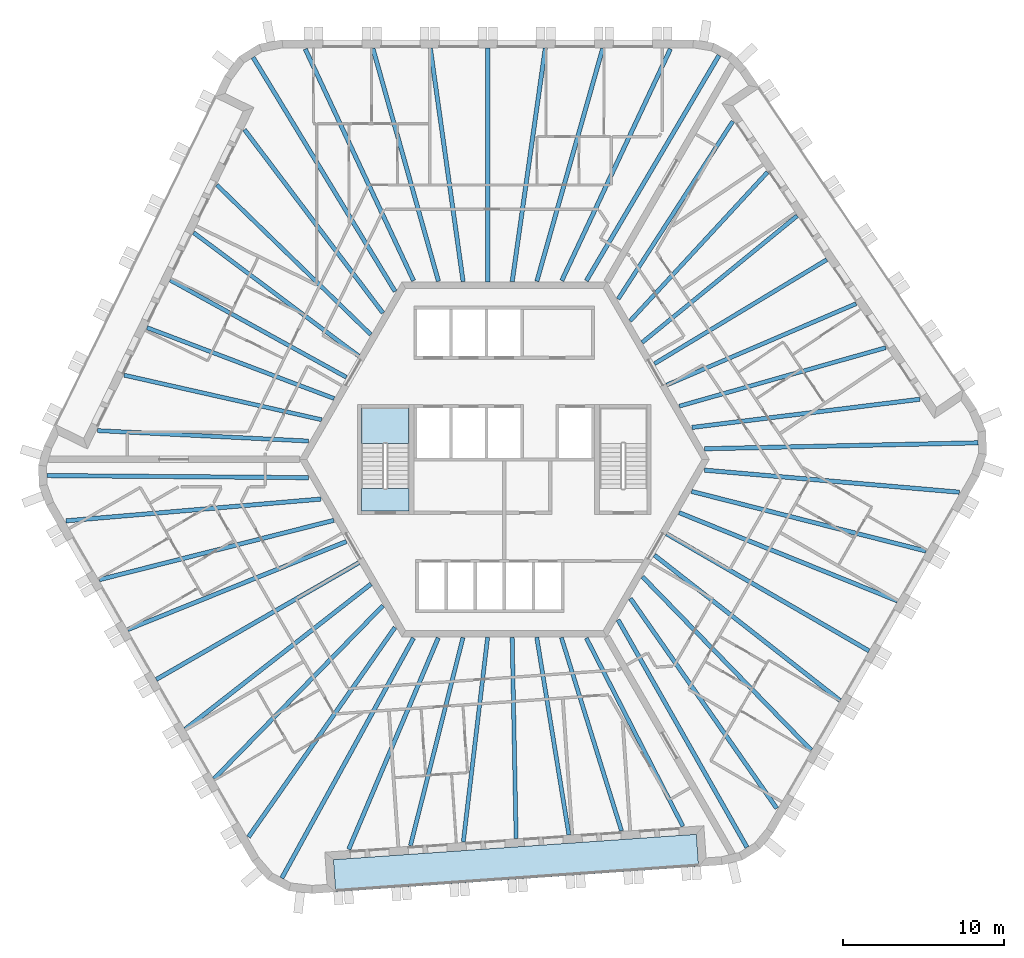
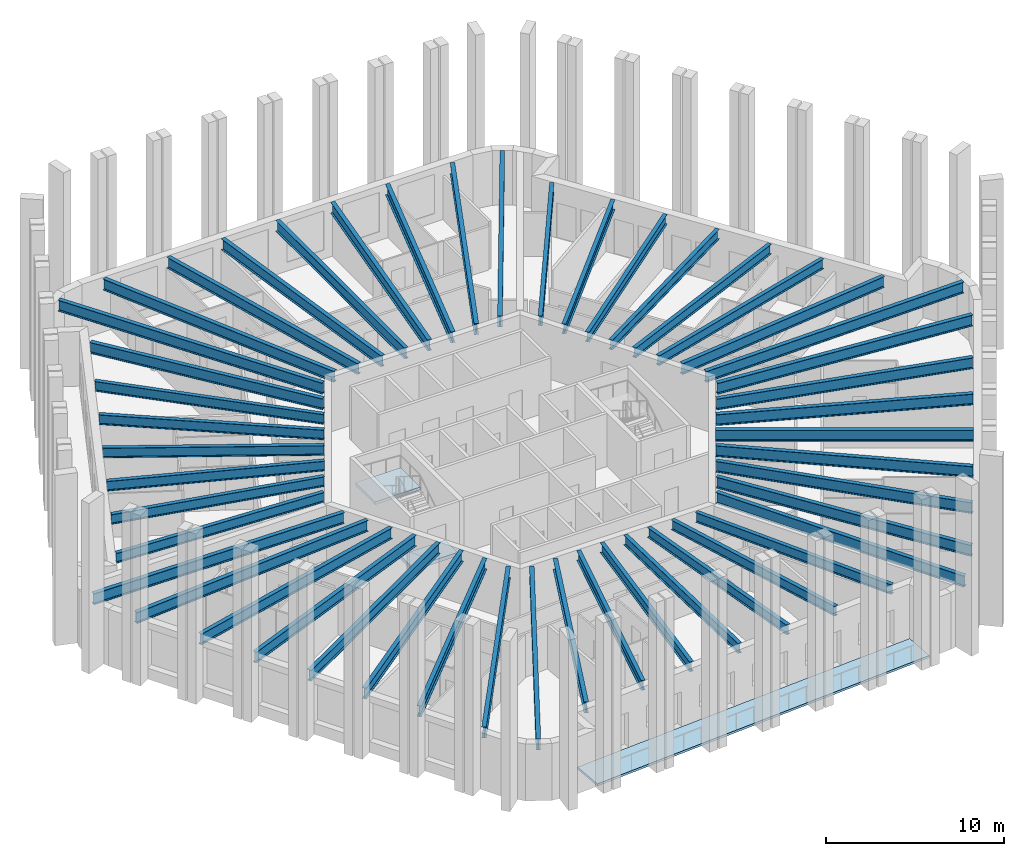
# One storey, part 1 of 13: 48 beams, 3 slabs, 1 element without a shape of its own.
"""IFC4 building model written with IfcOpenShell, lengths in metres."""

import ifcopenshell
import ifcopenshell.guid

model = None  # the IFC model being written
_history = None  # IfcOwnerHistory: only IFC2X3 demands one
_inside = {}  # id of a spatial element -> (the spatial element, [elements in it])
_under = {}  # id of a project, library or spatial element -> (it, [spatial elements below it])
_declared = {}  # id of a project -> (the project, [libraries it declares])
_typed = {}  # id of a type object -> (the type object, [elements of that type])
_made_of = {}  # id of a material, layer set ... -> (it, [elements and type objects made of it])


def new_model(schema):
    """Start an empty IFC model of exactly this schema.

    Asked for "IFC4X3", IfcOpenShell would pick the latest addendum, in which some entities
    have other attributes; the version numbers below select the first issue.
    IFC2X3 requires an IfcOwnerHistory on every rooted entity: one is made here for all.
    """
    global model, _history
    if schema == "IFC4X3":
        model = ifcopenshell.file(schema_version=(4, 3, 0, 0))
    else:
        model = ifcopenshell.file(schema=schema)
    _inside.clear()
    _under.clear()
    _declared.clear()
    _typed.clear()
    _made_of.clear()
    _history = None
    if model.schema == "IFC2X3":
        org = make("IfcOrganization", Name="unknown")
        user = make(
            "IfcPersonAndOrganization",
            ThePerson=make("IfcPerson", FamilyName="unknown"),
            TheOrganization=org,
        )
        app = make(
            "IfcApplication",
            ApplicationDeveloper=org,
            Version="unknown",
            ApplicationFullName="unknown",
            ApplicationIdentifier="unknown",
        )
        _history = make(
            "IfcOwnerHistory",
            OwningUser=user,
            OwningApplication=app,
            ChangeAction="ADDED",
            CreationDate=0,
        )
    return model


def make(cls, **values):
    """One entity of the class cls with the attributes given. An attribute that is None is left unset."""
    return model.create_entity(
        cls, **{name: value for name, value in values.items() if value is not None}
    )


def rooted(cls, **values):
    """An entity with a GlobalId (a new one), such as an element, a storey or a relation."""
    return make(cls, GlobalId=ifcopenshell.guid.new(), OwnerHistory=_history, **values)


def si_unit(unit_type, name, prefix=None):
    """IfcSIUnit, for example si_unit("LENGTHUNIT", "METRE", prefix="MILLI")."""
    return make("IfcSIUnit", UnitType=unit_type, Prefix=prefix, Name=name)


def assignment(units):
    """IfcUnitAssignment: the units of a project."""
    return None if units is None else make("IfcUnitAssignment", Units=units)


def point(xyz):
    """IfcCartesianPoint."""
    return None if xyz is None else make("IfcCartesianPoint", Coordinates=xyz)


def direction(xyz):
    """IfcDirection."""
    return None if xyz is None else make("IfcDirection", DirectionRatios=xyz)


def frame(location, z_axis=None, x_axis=None):
    """IfcAxis2Placement3D, a coordinate frame: its origin and axes. An axis left out is left unset."""
    return make(
        "IfcAxis2Placement3D",
        Location=point(location),
        Axis=direction(z_axis),
        RefDirection=direction(x_axis),
    )


def frame_2d(location, x_axis=None):
    """IfcAxis2Placement2D, a coordinate frame in the plane: its origin and x axis."""
    return make(
        "IfcAxis2Placement2D", Location=point(location), RefDirection=direction(x_axis)
    )


def origin():
    """The frame at (0, 0, 0) with its axes left unset."""
    return frame((0.0, 0.0, 0.0))


def origin_2d():
    """The frame at (0, 0) in the plane with its x axis left unset."""
    return frame_2d((0.0, 0.0))


def place(relative_to, where):
    """IfcLocalPlacement: puts the frame where relative to a parent placement (None: the world)."""
    return make(
        "IfcLocalPlacement", PlacementRelTo=relative_to, RelativePlacement=where
    )


def context(
    kind, dimensions, precision=None, world=None, true_north=None, identifier=None
):
    """IfcGeometricRepresentationContext, for example the 3D "Model" context."""
    return make(
        "IfcGeometricRepresentationContext",
        ContextIdentifier=identifier,
        ContextType=kind,
        CoordinateSpaceDimension=dimensions,
        Precision=precision,
        WorldCoordinateSystem=world,
        TrueNorth=true_north,
    )


def subcontext(parent, identifier, kind, view, scale=None):
    """IfcGeometricRepresentationSubContext, for example "Body" below "Model"."""
    return make(
        "IfcGeometricRepresentationSubContext",
        ContextIdentifier=identifier,
        ContextType=kind,
        ParentContext=parent,
        TargetScale=scale,
        TargetView=view,
    )


def project(units=None, contexts=None):
    """IfcProject with its units and contexts."""
    return rooted(
        "IfcProject",
        Name="project",
        RepresentationContexts=contexts,
        UnitsInContext=assignment(units),
    )


def spatial(cls, under=None, at=None, **own):
    """A site, building, storey or space (cls), placed at a placement, below another one or the project."""
    s = rooted(cls, ObjectPlacement=at, **own)
    if under is not None:
        _under.setdefault(under.id(), (under, []))[1].append(s)
    return s


def polyline(points):
    """IfcPolyline through the points."""
    return make("IfcPolyline", Points=[point(p) for p in points])


def profile(cls, at=None, kind="AREA", **sizes):
    """A parametric profile (cls). Its sizes go by their IFC names, for example OverallWidth=200.0."""
    return make(cls, ProfileType=kind, Position=at, **sizes)


def i_section(**sizes):
    """IfcIShapeProfileDef."""
    return profile("IfcIShapeProfileDef", **sizes)


def outline(outer, holes=None, kind="AREA"):
    """IfcArbitraryClosedProfileDef: a profile drawn as a closed curve; with holes, ...WithVoids."""
    if holes is None:
        return make("IfcArbitraryClosedProfileDef", ProfileType=kind, OuterCurve=outer)
    return make(
        "IfcArbitraryProfileDefWithVoids",
        ProfileType=kind,
        OuterCurve=outer,
        InnerCurves=holes,
    )


def extrude(swept, where, along, depth):
    """IfcExtrudedAreaSolid: the profile swept, set in the frame where, extruded along a direction by depth."""
    return make(
        "IfcExtrudedAreaSolid",
        SweptArea=swept,
        Position=where,
        ExtrudedDirection=direction(along),
        Depth=depth,
    )


def shape(context_of_items, identifier, shape_type, items):
    """IfcShapeRepresentation: the items that make up one representation, for example the "Body"."""
    return make(
        "IfcShapeRepresentation",
        ContextOfItems=context_of_items,
        RepresentationIdentifier=identifier,
        RepresentationType=shape_type,
        Items=items,
    )


def material(Name=None, Category=None):
    """IfcMaterial."""
    return make("IfcMaterial", Name=Name, Category=Category)


def layer(
    of_material, thickness, ventilated=None, Name=None, Category=None, Priority=None
):
    """IfcMaterialLayer: one layer of a wall or slab, of a material (None: an air gap)."""
    return make(
        "IfcMaterialLayer",
        Material=of_material,
        LayerThickness=thickness,
        IsVentilated=ventilated,
        Name=Name,
        Category=Category,
        Priority=Priority,
    )


def layer_set(layers, Name=None):
    """IfcMaterialLayerSet."""
    return make("IfcMaterialLayerSet", MaterialLayers=layers, LayerSetName=Name)


def material_profile(
    of_material, cross_section, Name=None, Category=None, Priority=None
):
    """IfcMaterialProfile: a cross section and its material."""
    return make(
        "IfcMaterialProfile",
        Name=Name,
        Material=of_material,
        Profile=cross_section,
        Priority=Priority,
        Category=Category,
    )


def profile_set(profiles, Name=None, composite=None):
    """IfcMaterialProfileSet."""
    return make(
        "IfcMaterialProfileSet",
        Name=Name,
        MaterialProfiles=profiles,
        CompositeProfile=composite,
    )


def made_of(thing, what):
    """Note that an element or type object is made of a material, layer set ...; save() writes the relation."""
    if what is not None:
        _made_of.setdefault(what.id(), (what, []))[1].append(thing)
    return thing


def type_object(cls, material=None, **own):
    """A type object (cls), such as IfcWallType, which elements share."""
    return made_of(rooted(cls, **own), material)


def element(
    cls,
    number,
    at=None,
    inside=None,
    cuts=None,
    type_object=None,
    material=None,
    context=None,
    identifier="Body",
    shape_type=None,
    held_by="IfcProductDefinitionShape",
    body=None,
    shapes=None,
    **own,
):
    """One element of the class cls, such as IfcWall. Its Tag is "e" and its number.

    at: its placement. inside: the storey or other place that contains it. cuts: it is an
    opening in that element (IfcRelVoidsElement). A single representation is given by context,
    identifier, shape_type and body (its items); several are given by shapes. held_by: the class
    of the entity that holds the representations. save() writes the other relations.
    """
    e = rooted(cls, Tag="e%d" % number, ObjectPlacement=at, **own)
    if body is not None:
        shapes = [shape(context, identifier, shape_type, body)]
    if shapes is not None:
        e.Representation = make(held_by, Representations=shapes)
    if inside is not None:
        _inside.setdefault(inside.id(), (inside, []))[1].append(e)
    if cuts is not None:
        rooted(
            "IfcRelVoidsElement", RelatingBuildingElement=cuts, RelatedOpeningElement=e
        )
    if type_object is not None:
        _typed.setdefault(type_object.id(), (type_object, []))[1].append(e)
    return made_of(e, material)


def aggregate(whole, parts):
    """IfcRelAggregates: a whole, such as a stair, and the parts it consists of."""
    return rooted("IfcRelAggregates", RelatingObject=whole, RelatedObjects=parts)


def save(model, path):
    """Write the relations noted so far, then the file.

    IfcRelAggregates (storeys below a building ...), IfcRelContainedInSpatialStructure (elements
    in a storey), IfcRelDefinesByType, IfcRelAssociatesMaterial and IfcRelDeclares: one each for
    every whole, place, type object, material and project.
    """
    for whole, parts in _under.values():
        aggregate(whole, parts)
    for where, things in _inside.values():
        rooted(
            "IfcRelContainedInSpatialStructure",
            RelatedElements=things,
            RelatingStructure=where,
        )
    for kind, things in _typed.values():
        rooted("IfcRelDefinesByType", RelatedObjects=things, RelatingType=kind)
    for what, things in _made_of.values():
        rooted("IfcRelAssociatesMaterial", RelatedObjects=things, RelatingMaterial=what)
    for by, libraries in _declared.values():
        rooted("IfcRelDeclares", RelatingContext=by, RelatedDefinitions=libraries)
    model.write(path)


model = new_model("IFC4")

# Units and contexts
model_context = context("Model", 3, precision=1e-05, world=origin(), true_north=direction((0.0, 1.0)))
body_context = subcontext(model_context, "Body", "Model", "MODEL_VIEW")
ifc_project = project(units=[si_unit("LENGTHUNIT", "METRE"), si_unit("AREAUNIT", "SQUARE_METRE"), si_unit("VOLUMEUNIT", "CUBIC_METRE"), si_unit("PLANEANGLEUNIT", "RADIAN"), si_unit("MASSUNIT", "GRAM", prefix="KILO")], contexts=[model_context])

# Site, building, storey
site_placement = place(None, origin())
site = spatial("IfcSite", under=ifc_project, at=site_placement, CompositionType="ELEMENT")
building_placement = place(site_placement, origin())
building = spatial("IfcBuilding", under=site, at=building_placement, Name="Tarnside Tower", CompositionType="ELEMENT")
storey_placement = place(building_placement, frame((0.0, 0.0, 303.0)))
storey = spatial("IfcBuildingStorey", under=building, at=storey_placement, Name="L73", CompositionType="ELEMENT", Elevation=303.0)

# Beams
ifc_material_1 = material(Name="Steel S355", Category="steel")
ifc_material_profile_1 = material_profile(ifc_material_1, i_section(OverallWidth=0.2529296875, OverallDepth=0.677978515625, WebThickness=0.01171875, FlangeThickness=0.01611328125, FilletRadius=0.01513671875, at=origin_2d()), Name="UB 686x254x125")
ifc_profile_set_1 = profile_set([ifc_material_profile_1], Name="Steel S355")
beam_type_1 = type_object("IfcBeamType", Name="Floor beam UB 686x254x125", PredefinedType="BEAM", material=ifc_profile_set_1)
beam_1_placement = place(storey_placement, frame((-17.811279296875, 17.002197265625, 3.4111328125), z_axis=(0.717190986424, -0.696876666988, 0.0), x_axis=(0.696876666988, 0.717190986424, 0.0)))
element("IfcBeam", 1, at=beam_1_placement, inside=storey, type_object=beam_type_1, Name="Floor beam F2.02", PredefinedType="BEAM", context=body_context, shape_type="SweptSolid", body=[
    extrude(i_section(OverallWidth=0.2529296875, OverallDepth=0.677978515625, WebThickness=0.01171875, FlangeThickness=0.01611328125, FilletRadius=0.01513671875, at=origin_2d()), origin(), (0.0, 0.0, 1.0), 13.2919921875),
])
beam_2_placement = place(storey_placement, frame((-19.25, 14.0498046875, 3.4111328125), z_axis=(0.801006417676, -0.598655759883, 0.0), x_axis=(0.598655759883, 0.801006417676, 0.0)))
element("IfcBeam", 2, at=beam_2_placement, inside=storey, type_object=beam_type_1, Name="Floor beam F2.03", PredefinedType="BEAM", context=body_context, shape_type="SweptSolid", body=[
    extrude(i_section(OverallWidth=0.2529296875, OverallDepth=0.677978515625, WebThickness=0.01171875, FlangeThickness=0.01611328125, FilletRadius=0.01513671875, at=origin_2d()), origin(), (0.0, 0.0, 1.0), 12.764892578125),
])
beam_3_placement = place(storey_placement, frame((-20.70458984375, 11.111572265625, 3.4111328125), z_axis=(0.875666768762, -0.482915841619, 0.0), x_axis=(0.482915841619, 0.875666768762, 0.0)))
element("IfcBeam", 3, at=beam_3_placement, inside=storey, type_object=beam_type_1, Name="Floor beam F2.04", PredefinedType="BEAM", context=body_context, shape_type="SweptSolid", body=[
    extrude(i_section(OverallWidth=0.2529296875, OverallDepth=0.677978515625, WebThickness=0.01171875, FlangeThickness=0.01611328125, FilletRadius=0.01513671875, at=origin_2d()), origin(), (0.0, 0.0, 1.0), 12.468994140625),
])
beam_4_placement = place(storey_placement, frame((-22.141357421875, 8.165771484375, 3.4111328125), z_axis=(0.935116350489, -0.354340811998, 0.0), x_axis=(0.354340811998, 0.935116350489, 0.0)))
element("IfcBeam", 4, at=beam_4_placement, inside=storey, type_object=beam_type_1, Name="Floor beam F2.05", PredefinedType="BEAM", context=body_context, shape_type="SweptSolid", body=[
    extrude(i_section(OverallWidth=0.2529296875, OverallDepth=0.677978515625, WebThickness=0.01171875, FlangeThickness=0.01611328125, FilletRadius=0.01513671875, at=origin_2d()), origin(), (0.0, 0.0, 1.0), 12.399169921875),
])
beam_5_placement = place(storey_placement, frame((-23.556884765625, 5.2197265625, 3.4111328125), z_axis=(0.975445185376, -0.220242344534, 0.0), x_axis=(0.220242344534, 0.975445185376, 0.0)))
element("IfcBeam", 5, at=beam_5_placement, inside=storey, type_object=beam_type_1, Name="Floor beam F2.06", PredefinedType="BEAM", context=body_context, shape_type="SweptSolid", body=[
    extrude(i_section(OverallWidth=0.2529296875, OverallDepth=0.677978515625, WebThickness=0.01171875, FlangeThickness=0.01611328125, FilletRadius=0.01513671875, at=origin_2d()), origin(), (0.0, 0.0, 1.0), 12.538330078125),
])
beam_6_placement = place(storey_placement, frame((-25.214599609375, 1.7841796875, 3.4111328125), z_axis=(0.998783137237, -0.049317793651, 0.0), x_axis=(0.049317793651, 0.998783137237, 0.0)))
element("IfcBeam", 6, at=beam_6_placement, inside=storey, type_object=beam_type_1, Name="Floor beam F2.07", PredefinedType="BEAM", context=body_context, shape_type="SweptSolid", body=[
    extrude(i_section(OverallWidth=0.2529296875, OverallDepth=0.677978515625, WebThickness=0.01171875, FlangeThickness=0.01611328125, FilletRadius=0.01513671875, at=origin_2d()), origin(), (0.0, 0.0, 1.0), 13.103515625),
])
beam_7_placement = place(storey_placement, frame((-5.818603515625, -23.92626953125, 3.4111328125), z_axis=(0.244907502604, 0.969546448175, 0.0), x_axis=(-0.969546448175, 0.244907502604, 0.0)))
element("IfcBeam", 7, at=beam_7_placement, inside=storey, type_object=beam_type_1, Name="Floor beam F4.02", PredefinedType="BEAM", context=body_context, shape_type="SweptSolid", body=[
    extrude(i_section(OverallWidth=0.2529296875, OverallDepth=0.677978515625, WebThickness=0.01171875, FlangeThickness=0.01611328125, FilletRadius=0.01513671875, at=origin_2d()), origin(), (0.0, 0.0, 1.0), 13.292236328125),
])
beam_8_placement = place(storey_placement, frame((-2.54248046875, -23.69580078125, 3.4111328125), z_axis=(0.117949762105, 0.993019563563, 0.0), x_axis=(-0.993019563563, 0.117949762105, 0.0)))
element("IfcBeam", 8, at=beam_8_placement, inside=storey, type_object=beam_type_1, Name="Floor beam F4.03", PredefinedType="BEAM", context=body_context, shape_type="SweptSolid", body=[
    extrude(i_section(OverallWidth=0.2529296875, OverallDepth=0.677978515625, WebThickness=0.01171875, FlangeThickness=0.01611328125, FilletRadius=0.01513671875, at=origin_2d()), origin(), (0.0, 0.0, 1.0), 12.764892578125),
])
beam_9_placement = place(storey_placement, frame((0.7294921875, -23.486328125, 3.4111328125), z_axis=(-0.019619426101, 0.999807520536, 0.0), x_axis=(-0.999807520536, -0.019619426101, 0.0)))
element("IfcBeam", 9, at=beam_9_placement, inside=storey, type_object=beam_type_1, Name="Floor beam F4.04", PredefinedType="BEAM", context=body_context, shape_type="SweptSolid", body=[
    extrude(i_section(OverallWidth=0.2529296875, OverallDepth=0.677978515625, WebThickness=0.01171875, FlangeThickness=0.01611328125, FilletRadius=0.01513671875, at=origin_2d()), origin(), (0.0, 0.0, 1.0), 12.46875),
])
beam_10_placement = place(storey_placement, frame((3.9990234375, -23.2578125, 3.4111328125), z_axis=(-0.160690769029, 0.987004800773, 0.0), x_axis=(-0.987004800773, -0.160690769029, 0.0)))
element("IfcBeam", 10, at=beam_10_placement, inside=storey, type_object=beam_type_1, Name="Floor beam F4.05", PredefinedType="BEAM", context=body_context, shape_type="SweptSolid", body=[
    extrude(i_section(OverallWidth=0.2529296875, OverallDepth=0.677978515625, WebThickness=0.01171875, FlangeThickness=0.01611328125, FilletRadius=0.01513671875, at=origin_2d()), origin(), (0.0, 0.0, 1.0), 12.399169921875),
])
beam_11_placement = place(storey_placement, frame((7.258056640625, -23.0107421875, 3.4111328125), z_axis=(-0.296997512057, 0.954878252885, 0.0), x_axis=(-0.954878252885, -0.296997512057, 0.0)))
element("IfcBeam", 11, at=beam_11_placement, inside=storey, type_object=beam_type_1, Name="Floor beam F4.06", PredefinedType="BEAM", context=body_context, shape_type="SweptSolid", body=[
    extrude(i_section(OverallWidth=0.2529296875, OverallDepth=0.677978515625, WebThickness=0.01171875, FlangeThickness=0.01611328125, FilletRadius=0.01513671875, at=origin_2d()), origin(), (0.0, 0.0, 1.0), 12.538330078125),
])
beam_12_placement = place(storey_placement, frame((11.06201171875, -22.728515625, 3.4111328125), z_axis=(-0.456683143477, 0.889629420862, 0.0), x_axis=(-0.889629420862, -0.456683143477, 0.0)))
element("IfcBeam", 12, at=beam_12_placement, inside=storey, type_object=beam_type_1, Name="Floor beam F4.07", PredefinedType="BEAM", context=body_context, shape_type="SweptSolid", body=[
    extrude(i_section(OverallWidth=0.2529296875, OverallDepth=0.677978515625, WebThickness=0.01171875, FlangeThickness=0.01611328125, FilletRadius=0.01513671875, at=origin_2d()), origin(), (0.0, 0.0, 1.0), 13.103515625),
])
beam_13_placement = place(storey_placement, frame((23.6298828125, 6.924072265625, 3.4111328125), z_axis=(-0.962104001021, -0.272682766636, 0.0), x_axis=(0.272682766636, -0.962104001021, 0.0)))
element("IfcBeam", 13, at=beam_13_placement, inside=storey, type_object=beam_type_1, Name="Floor beam F6.02", PredefinedType="BEAM", context=body_context, shape_type="SweptSolid", body=[
    extrude(i_section(OverallWidth=0.2529296875, OverallDepth=0.677978515625, WebThickness=0.01171875, FlangeThickness=0.01611328125, FilletRadius=0.01513671875, at=origin_2d()), origin(), (0.0, 0.0, 1.0), 13.2919921875),
])
beam_14_placement = place(storey_placement, frame((21.792236328125, 9.64599609375, 3.4111328125), z_axis=(-0.918954980534, -0.394362452258, 0.0), x_axis=(0.394362452258, -0.918954980534, 0.0)))
element("IfcBeam", 14, at=beam_14_placement, inside=storey, type_object=beam_type_1, Name="Floor beam F6.03", PredefinedType="BEAM", context=body_context, shape_type="SweptSolid", body=[
    extrude(i_section(OverallWidth=0.2529296875, OverallDepth=0.677978515625, WebThickness=0.01171875, FlangeThickness=0.01611328125, FilletRadius=0.01513671875, at=origin_2d()), origin(), (0.0, 0.0, 1.0), 12.7646484375),
])
beam_15_placement = place(storey_placement, frame((19.97509765625, 12.375, 3.4111328125), z_axis=(-0.856046953876, -0.516898068055, 0.0), x_axis=(0.516898068055, -0.856046953876, 0.0)))
element("IfcBeam", 15, at=beam_15_placement, inside=storey, type_object=beam_type_1, Name="Floor beam F6.04", PredefinedType="BEAM", context=body_context, shape_type="SweptSolid", body=[
    extrude(i_section(OverallWidth=0.2529296875, OverallDepth=0.677978515625, WebThickness=0.01171875, FlangeThickness=0.01611328125, FilletRadius=0.01513671875, at=origin_2d()), origin(), (0.0, 0.0, 1.0), 12.46875),
])
beam_16_placement = place(storey_placement, frame((18.142333984375, 15.092041015625, 3.4111328125), z_axis=(-0.774438707576, -0.632648945473, 0.0), x_axis=(0.632648945473, -0.774438707576, 0.0)))
element("IfcBeam", 16, at=beam_16_placement, inside=storey, type_object=beam_type_1, Name="Floor beam F6.05", PredefinedType="BEAM", context=body_context, shape_type="SweptSolid", body=[
    extrude(i_section(OverallWidth=0.2529296875, OverallDepth=0.677978515625, WebThickness=0.01171875, FlangeThickness=0.01611328125, FilletRadius=0.01513671875, at=origin_2d()), origin(), (0.0, 0.0, 1.0), 12.39892578125),
])
beam_17_placement = place(storey_placement, frame((16.299072265625, 17.791015625, 3.4111328125), z_axis=(-0.67846123451, -0.734636204708, 0.0), x_axis=(0.734636204708, -0.67846123451, 0.0)))
element("IfcBeam", 17, at=beam_17_placement, inside=storey, type_object=beam_type_1, Name="Floor beam F6.06", PredefinedType="BEAM", context=body_context, shape_type="SweptSolid", body=[
    extrude(i_section(OverallWidth=0.2529296875, OverallDepth=0.677978515625, WebThickness=0.01171875, FlangeThickness=0.01611328125, FilletRadius=0.01513671875, at=origin_2d()), origin(), (0.0, 0.0, 1.0), 12.538330078125),
])
beam_18_placement = place(storey_placement, frame((14.152587890625, 20.9443359375, 3.4111328125), z_axis=(-0.54209970956, -0.840314170352, 0.0), x_axis=(0.840314170352, -0.54209970956, 0.0)))
element("IfcBeam", 18, at=beam_18_placement, inside=storey, type_object=beam_type_1, Name="Floor beam F6.07", PredefinedType="BEAM", context=body_context, shape_type="SweptSolid", body=[
    extrude(i_section(OverallWidth=0.2529296875, OverallDepth=0.677978515625, WebThickness=0.01171875, FlangeThickness=0.01611328125, FilletRadius=0.01513671875, at=origin_2d()), origin(), (0.0, 0.0, 1.0), 13.103759765625),
])
ifc_material_profile_2 = material_profile(ifc_material_1, i_section(OverallWidth=0.26513671875, OverallDepth=0.75390625, WebThickness=0.0126953125, FlangeThickness=0.017578125, FilletRadius=0.0166015625, at=origin_2d()), Name="UB 762x267x147")
ifc_profile_set_2 = profile_set([ifc_material_profile_2], Name="Steel S355")
beam_type_2 = type_object("IfcBeamType", Name="Floor beam UB 762x267x147", PredefinedType="BEAM", material=ifc_profile_set_2)
beam_19_placement = place(storey_placement, frame((6.093505859375, 25.46142578125, 3.373046875), z_axis=(-0.272147186115, -0.962255636039, 0.0), x_axis=(0.962255636039, -0.272147186115, 0.0)))
element("IfcBeam", 19, at=beam_19_placement, inside=storey, type_object=beam_type_2, Name="Floor beam F1.02", PredefinedType="BEAM", context=body_context, shape_type="SweptSolid", body=[
    extrude(i_section(OverallWidth=0.26513671875, OverallDepth=0.75390625, WebThickness=0.0126953125, FlangeThickness=0.017578125, FilletRadius=0.0166015625, at=origin_2d()), origin(), (0.0, 0.0, 1.0), 14.988525390625),
])
beam_20_placement = place(storey_placement, frame((2.537109375, 25.480224609375, 3.373046875), z_axis=(-0.140349428967, -0.990102034029, 0.0), x_axis=(0.990102034029, -0.140349428967, 0.0)))
element("IfcBeam", 20, at=beam_20_placement, inside=storey, type_object=beam_type_2, Name="Floor beam F1.03", PredefinedType="BEAM", context=body_context, shape_type="SweptSolid", body=[
    extrude(i_section(OverallWidth=0.26513671875, OverallDepth=0.75390625, WebThickness=0.0126953125, FlangeThickness=0.017578125, FilletRadius=0.0166015625, at=origin_2d()), origin(), (0.0, 0.0, 1.0), 14.60498046875),
])
beam_21_placement = place(storey_placement, frame((-1.02490234375, 25.5, 3.373046875), z_axis=(-0.000656653953, -0.999999784403, 0.0), x_axis=(0.999999784403, -0.000656653953, 0.0)))
element("IfcBeam", 21, at=beam_21_placement, inside=storey, type_object=beam_type_2, Name="Floor beam F1.04", PredefinedType="BEAM", context=body_context, shape_type="SweptSolid", body=[
    extrude(i_section(OverallWidth=0.26513671875, OverallDepth=0.75390625, WebThickness=0.0126953125, FlangeThickness=0.017578125, FilletRadius=0.0166015625, at=origin_2d()), origin(), (0.0, 0.0, 1.0), 14.5),
])
beam_22_placement = place(storey_placement, frame((-4.5869140625, 25.480224609375, 3.373046875), z_axis=(0.139070897001, -0.990282427193, 0.0), x_axis=(0.990282427193, 0.139070897001, 0.0)))
element("IfcBeam", 22, at=beam_22_placement, inside=storey, type_object=beam_type_2, Name="Floor beam F1.05", PredefinedType="BEAM", context=body_context, shape_type="SweptSolid", body=[
    extrude(i_section(OverallWidth=0.26513671875, OverallDepth=0.75390625, WebThickness=0.0126953125, FlangeThickness=0.017578125, FilletRadius=0.0166015625, at=origin_2d()), origin(), (0.0, 0.0, 1.0), 14.602294921875),
])
beam_23_placement = place(storey_placement, frame((-8.1435546875, 25.46142578125, 3.373046875), z_axis=(0.270985274434, -0.962583493023, 0.0), x_axis=(0.962583493023, 0.270985274434, 0.0)))
element("IfcBeam", 23, at=beam_23_placement, inside=storey, type_object=beam_type_2, Name="Floor beam F1.06", PredefinedType="BEAM", context=body_context, shape_type="SweptSolid", body=[
    extrude(i_section(OverallWidth=0.26513671875, OverallDepth=0.75390625, WebThickness=0.0126953125, FlangeThickness=0.017578125, FilletRadius=0.0166015625, at=origin_2d()), origin(), (0.0, 0.0, 1.0), 14.9833984375),
])
beam_24_placement = place(storey_placement, frame((-16.101318359375, 20.43212890625, 3.373046875), z_axis=(0.602566097863, -0.798068980543, 0.0), x_axis=(0.798068980543, 0.602566097863, 0.0)))
element("IfcBeam", 24, at=beam_24_placement, inside=storey, type_object=beam_type_2, Name="Floor beam F2.01", PredefinedType="BEAM", context=body_context, shape_type="SweptSolid", body=[
    extrude(i_section(OverallWidth=0.26513671875, OverallDepth=0.75390625, WebThickness=0.0126953125, FlangeThickness=0.017578125, FilletRadius=0.0166015625, at=origin_2d()), origin(), (0.0, 0.0, 1.0), 14.231201171875),
])
beam_25_placement = place(storey_placement, frame((-25.09716796875, -7.45361328125, 3.373046875), z_axis=(0.969413823687, 0.245431942592, 0.0), x_axis=(-0.245431942592, 0.969413823687, 0.0)))
element("IfcBeam", 25, at=beam_25_placement, inside=storey, type_object=beam_type_2, Name="Floor beam F3.02", PredefinedType="BEAM", context=body_context, shape_type="SweptSolid", body=[
    extrude(i_section(OverallWidth=0.26513671875, OverallDepth=0.75390625, WebThickness=0.0126953125, FlangeThickness=0.017578125, FilletRadius=0.0166015625, at=origin_2d()), origin(), (0.0, 0.0, 1.0), 14.98876953125),
])
beam_26_placement = place(storey_placement, frame((-23.3349609375, -10.54296875, 3.373046875), z_axis=(0.927625766949, 0.373510958998, 0.0), x_axis=(-0.373510958998, 0.927625766949, 0.0)))
element("IfcBeam", 26, at=beam_26_placement, inside=storey, type_object=beam_type_2, Name="Floor beam F3.03", PredefinedType="BEAM", context=body_context, shape_type="SweptSolid", body=[
    extrude(i_section(OverallWidth=0.26513671875, OverallDepth=0.75390625, WebThickness=0.0126953125, FlangeThickness=0.017578125, FilletRadius=0.0166015625, at=origin_2d()), origin(), (0.0, 0.0, 1.0), 14.60498046875),
])
beam_27_placement = place(storey_placement, frame((-21.5712890625, -13.6376953125, 3.373046875), z_axis=(0.866357363831, 0.499424587036, 0.0), x_axis=(-0.499424587036, 0.866357363831, 0.0)))
element("IfcBeam", 27, at=beam_27_placement, inside=storey, type_object=beam_type_2, Name="Floor beam F3.04", PredefinedType="BEAM", context=body_context, shape_type="SweptSolid", body=[
    extrude(i_section(OverallWidth=0.26513671875, OverallDepth=0.75390625, WebThickness=0.0126953125, FlangeThickness=0.017578125, FilletRadius=0.0166015625, at=origin_2d()), origin(), (0.0, 0.0, 1.0), 14.5),
])
beam_28_placement = place(storey_placement, frame((-19.77294921875, -16.71240234375, 3.373046875), z_axis=(0.788074813552, 0.615579473541, 0.0), x_axis=(-0.615579473541, 0.788074813552, 0.0)))
element("IfcBeam", 28, at=beam_28_placement, inside=storey, type_object=beam_type_2, Name="Floor beam F3.05", PredefinedType="BEAM", context=body_context, shape_type="SweptSolid", body=[
    extrude(i_section(OverallWidth=0.26513671875, OverallDepth=0.75390625, WebThickness=0.0126953125, FlangeThickness=0.017578125, FilletRadius=0.0166015625, at=origin_2d()), origin(), (0.0, 0.0, 1.0), 14.60205078125),
])
beam_29_placement = place(storey_placement, frame((-17.978515625, -19.783203125, 3.373046875), z_axis=(0.698129580508, 0.71597143017, 0.0), x_axis=(-0.71597143017, 0.698129580508, 0.0)))
element("IfcBeam", 29, at=beam_29_placement, inside=storey, type_object=beam_type_2, Name="Floor beam F3.06", PredefinedType="BEAM", context=body_context, shape_type="SweptSolid", body=[
    extrude(i_section(OverallWidth=0.26513671875, OverallDepth=0.75390625, WebThickness=0.0126953125, FlangeThickness=0.017578125, FilletRadius=0.0166015625, at=origin_2d()), origin(), (0.0, 0.0, 1.0), 14.983642578125),
])
beam_30_placement = place(storey_placement, frame((-9.64404296875, -24.160400390625, 3.373046875), z_axis=(0.389873911801, 0.920868249478, 0.0), x_axis=(-0.920868249478, 0.389873911801, 0.0)))
element("IfcBeam", 30, at=beam_30_placement, inside=storey, type_object=beam_type_2, Name="Floor beam F4.01", PredefinedType="BEAM", context=body_context, shape_type="SweptSolid", body=[
    extrude(i_section(OverallWidth=0.26513671875, OverallDepth=0.75390625, WebThickness=0.0126953125, FlangeThickness=0.017578125, FilletRadius=0.0166015625, at=origin_2d()), origin(), (0.0, 0.0, 1.0), 14.231201171875),
])
beam_31_placement = place(storey_placement, frame((19.00341796875, -18.008056640625, 3.373046875), z_axis=(-0.697249797022, 0.716828236437, 0.0), x_axis=(-0.716828236437, -0.697249797022, 0.0)))
element("IfcBeam", 31, at=beam_31_placement, inside=storey, type_object=beam_type_2, Name="Floor beam F5.02", PredefinedType="BEAM", context=body_context, shape_type="SweptSolid", body=[
    extrude(i_section(OverallWidth=0.26513671875, OverallDepth=0.75390625, WebThickness=0.0126953125, FlangeThickness=0.017578125, FilletRadius=0.0166015625, at=origin_2d()), origin(), (0.0, 0.0, 1.0), 14.98876953125),
])
beam_32_placement = place(storey_placement, frame((20.798095703125, -14.937255859375, 3.373046875), z_axis=(-0.787282014804, 0.616593082321, 0.0), x_axis=(-0.616593082321, -0.787282014804, 0.0)))
element("IfcBeam", 32, at=beam_32_placement, inside=storey, type_object=beam_type_2, Name="Floor beam F5.03", PredefinedType="BEAM", context=body_context, shape_type="SweptSolid", body=[
    extrude(i_section(OverallWidth=0.26513671875, OverallDepth=0.75390625, WebThickness=0.0126953125, FlangeThickness=0.017578125, FilletRadius=0.0166015625, at=origin_2d()), origin(), (0.0, 0.0, 1.0), 14.60498046875),
])
beam_33_placement = place(storey_placement, frame((22.59619140625, -11.8623046875, 3.373046875), z_axis=(-0.865697438889, 0.500567622106, 0.0), x_axis=(-0.500567622106, -0.865697438889, 0.0)))
element("IfcBeam", 33, at=beam_33_placement, inside=storey, type_object=beam_type_2, Name="Floor beam F5.04", PredefinedType="BEAM", context=body_context, shape_type="SweptSolid", body=[
    extrude(i_section(OverallWidth=0.26513671875, OverallDepth=0.75390625, WebThickness=0.0126953125, FlangeThickness=0.017578125, FilletRadius=0.0166015625, at=origin_2d()), origin(), (0.0, 0.0, 1.0), 14.500244140625),
])
beam_34_placement = place(storey_placement, frame((24.35986328125, -8.767578125, 3.373046875), z_axis=(-0.927145907531, 0.374700501933, 0.0), x_axis=(-0.374700501933, -0.927145907531, 0.0)))
element("IfcBeam", 34, at=beam_34_placement, inside=storey, type_object=beam_type_2, Name="Floor beam F5.05", PredefinedType="BEAM", context=body_context, shape_type="SweptSolid", body=[
    extrude(i_section(OverallWidth=0.26513671875, OverallDepth=0.75390625, WebThickness=0.0126953125, FlangeThickness=0.017578125, FilletRadius=0.0166015625, at=origin_2d()), origin(), (0.0, 0.0, 1.0), 14.60205078125),
])
beam_35_placement = place(storey_placement, frame((26.1220703125, -5.67822265625, 3.373046875), z_axis=(-0.969115089144, 0.246608888716, 0.0), x_axis=(-0.246608888716, -0.969115089144, 0.0)))
element("IfcBeam", 35, at=beam_35_placement, inside=storey, type_object=beam_type_2, Name="Floor beam F5.06", PredefinedType="BEAM", context=body_context, shape_type="SweptSolid", body=[
    extrude(i_section(OverallWidth=0.26513671875, OverallDepth=0.75390625, WebThickness=0.0126953125, FlangeThickness=0.017578125, FilletRadius=0.0166015625, at=origin_2d()), origin(), (0.0, 0.0, 1.0), 14.9833984375),
])
beam_36_placement = place(storey_placement, frame((25.745361328125, 3.72802734375, 3.373046875), z_axis=(-0.992433598491, -0.122782541866, 0.0), x_axis=(0.122782541866, -0.992433598491, 0.0)))
element("IfcBeam", 36, at=beam_36_placement, inside=storey, type_object=beam_type_2, Name="Floor beam F6.01", PredefinedType="BEAM", context=body_context, shape_type="SweptSolid", body=[
    extrude(i_section(OverallWidth=0.26513671875, OverallDepth=0.75390625, WebThickness=0.0126953125, FlangeThickness=0.017578125, FilletRadius=0.0166015625, at=origin_2d()), origin(), (0.0, 0.0, 1.0), 14.23095703125),
])
ifc_material_profile_3 = material_profile(ifc_material_1, i_section(OverallWidth=0.2666015625, OverallDepth=0.76220703125, WebThickness=0.014404296875, FlangeThickness=0.021484375, FilletRadius=0.0166015625, at=origin_2d()), Name="UB 762x267x173")
ifc_profile_set_3 = profile_set([ifc_material_profile_3], Name="Steel S355")
beam_type_3 = type_object("IfcBeamType", Name="Floor beam UB 762x267x173", PredefinedType="BEAM", material=ifc_profile_set_3)
beam_37_placement = place(storey_placement, frame((10.285400390625, 25.427490234375, 3.368896484375), z_axis=(-0.424439399801, -0.905456346765, 0.0), x_axis=(0.905456346765, -0.424439399801, 0.0)))
element("IfcBeam", 37, at=beam_37_placement, inside=storey, type_object=beam_type_3, Name="Floor beam F1.01", PredefinedType="BEAM", context=body_context, shape_type="SweptSolid", body=[
    extrude(i_section(OverallWidth=0.2666015625, OverallDepth=0.76220703125, WebThickness=0.014404296875, FlangeThickness=0.021484375, FilletRadius=0.0166015625, at=origin_2d()), origin(), (0.0, 0.0, 1.0), 15.853759765625),
])
beam_38_placement = place(storey_placement, frame((-12.335205078125, 25.427490234375, 3.368896484375), z_axis=(0.423453877267, -0.905917663934, 0.0), x_axis=(0.905917663934, 0.423453877267, 0.0)))
element("IfcBeam", 38, at=beam_38_placement, inside=storey, type_object=beam_type_3, Name="Floor beam F1.07", PredefinedType="BEAM", context=body_context, shape_type="SweptSolid", body=[
    extrude(i_section(OverallWidth=0.2666015625, OverallDepth=0.76220703125, WebThickness=0.014404296875, FlangeThickness=0.021484375, FilletRadius=0.0166015625, at=origin_2d()), origin(), (0.0, 0.0, 1.0), 15.845703125),
])
beam_39_placement = place(storey_placement, frame((-15.5703125, 24.91162109375, 3.368896484375), z_axis=(0.518716683755, -0.854946198304, 0.0), x_axis=(0.854946198304, 0.518716683755, 0.0)))
element("IfcBeam", 39, at=beam_39_placement, inside=storey, type_object=beam_type_3, Name="Floor beam C1", PredefinedType="BEAM", context=body_context, shape_type="SweptSolid", body=[
    extrude(i_section(OverallWidth=0.2666015625, OverallDepth=0.76220703125, WebThickness=0.014404296875, FlangeThickness=0.021484375, FilletRadius=0.0166015625, at=origin_2d()), origin(), (0.0, 0.0, 1.0), 16.961181640625),
])
beam_40_placement = place(storey_placement, frame((-28.3291015625, -1.0009765625, 3.368896484375), z_axis=(0.999966651082, -0.008166806173, 0.0), x_axis=(0.008166806173, 0.999966651082, 0.0)))
element("IfcBeam", 40, at=beam_40_placement, inside=storey, type_object=beam_type_3, Name="Floor beam C2", PredefinedType="BEAM", context=body_context, shape_type="SweptSolid", body=[
    extrude(i_section(OverallWidth=0.2666015625, OverallDepth=0.76220703125, WebThickness=0.014404296875, FlangeThickness=0.021484375, FilletRadius=0.0166015625, at=origin_2d()), origin(), (0.0, 0.0, 1.0), 16.20263671875),
])
beam_41_placement = place(storey_placement, frame((-27.16357421875, -3.806396484375, 3.368896484375), z_axis=(0.996367434748, 0.085158293626, 0.0), x_axis=(-0.085158293626, 0.996367434748, 0.0)))
element("IfcBeam", 41, at=beam_41_placement, inside=storey, type_object=beam_type_3, Name="Floor beam F3.01", PredefinedType="BEAM", context=body_context, shape_type="SweptSolid", body=[
    extrude(i_section(OverallWidth=0.2666015625, OverallDepth=0.76220703125, WebThickness=0.014404296875, FlangeThickness=0.021484375, FilletRadius=0.0166015625, at=origin_2d()), origin(), (0.0, 0.0, 1.0), 15.85400390625),
])
beam_42_placement = place(storey_placement, frame((-15.853271484375, -23.396484375, 3.368896484375), z_axis=(0.572816933654, 0.819683329414, 0.0), x_axis=(-0.819683329414, 0.572816933654, 0.0)))
element("IfcBeam", 42, at=beam_42_placement, inside=storey, type_object=beam_type_3, Name="Floor beam F3.07", PredefinedType="BEAM", context=body_context, shape_type="SweptSolid", body=[
    extrude(i_section(OverallWidth=0.2666015625, OverallDepth=0.76220703125, WebThickness=0.014404296875, FlangeThickness=0.021484375, FilletRadius=0.0166015625, at=origin_2d()), origin(), (0.0, 0.0, 1.0), 15.84619140625),
])
beam_43_placement = place(storey_placement, frame((-13.788818359375, -25.93994140625, 3.368896484375), z_axis=(0.481036073107, 0.876700802081, 0.0), x_axis=(-0.876700802081, 0.481036073107, 0.0)))
element("IfcBeam", 43, at=beam_43_placement, inside=storey, type_object=beam_type_3, Name="Floor beam C3", PredefinedType="BEAM", context=body_context, shape_type="SweptSolid", body=[
    extrude(i_section(OverallWidth=0.2666015625, OverallDepth=0.76220703125, WebThickness=0.014404296875, FlangeThickness=0.021484375, FilletRadius=0.0166015625, at=origin_2d()), origin(), (0.0, 0.0, 1.0), 16.961181640625),
])
beam_44_placement = place(storey_placement, frame((15.031494140625, -24.033447265625, 3.368896484375), z_axis=(-0.49290801997, 0.870081423689, 0.0), x_axis=(-0.870081423689, -0.49290801997, 0.0)))
element("IfcBeam", 44, at=beam_44_placement, inside=storey, type_object=beam_type_3, Name="Floor beam C4", PredefinedType="BEAM", context=body_context, shape_type="SweptSolid", body=[
    extrude(i_section(OverallWidth=0.2666015625, OverallDepth=0.76220703125, WebThickness=0.014404296875, FlangeThickness=0.021484375, FilletRadius=0.0166015625, at=origin_2d()), origin(), (0.0, 0.0, 1.0), 16.202880859375),
])
beam_45_placement = place(storey_placement, frame((16.87841796875, -21.62109375, 3.368896484375), z_axis=(-0.571946235641, 0.82029110902, 0.0), x_axis=(-0.82029110902, -0.571946235641, 0.0)))
element("IfcBeam", 45, at=beam_45_placement, inside=storey, type_object=beam_type_3, Name="Floor beam F5.01", PredefinedType="BEAM", context=body_context, shape_type="SweptSolid", body=[
    extrude(i_section(OverallWidth=0.2666015625, OverallDepth=0.76220703125, WebThickness=0.014404296875, FlangeThickness=0.021484375, FilletRadius=0.0166015625, at=origin_2d()), origin(), (0.0, 0.0, 1.0), 15.85400390625),
])
beam_46_placement = place(storey_placement, frame((28.1884765625, -2.03125, 3.368896484375), z_axis=(-0.996273584651, 0.086249316098, 0.0), x_axis=(-0.086249316098, -0.996273584651, 0.0)))
element("IfcBeam", 46, at=beam_46_placement, inside=storey, type_object=beam_type_3, Name="Floor beam F5.07", PredefinedType="BEAM", context=body_context, shape_type="SweptSolid", body=[
    extrude(i_section(OverallWidth=0.2666015625, OverallDepth=0.76220703125, WebThickness=0.014404296875, FlangeThickness=0.021484375, FilletRadius=0.0166015625, at=origin_2d()), origin(), (0.0, 0.0, 1.0), 15.845947265625),
])
beam_47_placement = place(storey_placement, frame((29.359130859375, 1.028564453125, 3.368896484375), z_axis=(-0.999763142455, -0.02176370807, 0.0), x_axis=(0.02176370807, -0.999763142455, 0.0)))
element("IfcBeam", 47, at=beam_47_placement, inside=storey, type_object=beam_type_3, Name="Floor beam C5", PredefinedType="BEAM", context=body_context, shape_type="SweptSolid", body=[
    extrude(i_section(OverallWidth=0.2666015625, OverallDepth=0.76220703125, WebThickness=0.014404296875, FlangeThickness=0.021484375, FilletRadius=0.0166015625, at=origin_2d()), origin(), (0.0, 0.0, 1.0), 16.961181640625),
])
beam_48_placement = place(storey_placement, frame((13.2978515625, 25.0341796875, 3.368896484375), z_axis=(-0.507080048325, -0.861898964259, 0.0), x_axis=(0.861898964259, -0.507080048325, 0.0)))
element("IfcBeam", 48, at=beam_48_placement, inside=storey, type_object=beam_type_3, Name="Floor beam C6", PredefinedType="BEAM", context=body_context, shape_type="SweptSolid", body=[
    extrude(i_section(OverallWidth=0.2666015625, OverallDepth=0.76220703125, WebThickness=0.014404296875, FlangeThickness=0.021484375, FilletRadius=0.0166015625, at=origin_2d()), origin(), (0.0, 0.0, 1.0), 16.20263671875),
])

# Slabs
ifc_material_2 = material(Name="Concrete C40/50", Category="concrete")
ifc_layer_1 = layer(ifc_material_2, 0.25)
ifc_layer_set_1 = layer_set([ifc_layer_1], Name="Core slab C40/50")
slab_type_1 = type_object("IfcSlabType", Name="Core slab C40/50", PredefinedType="FLOOR", material=ifc_layer_set_1)
slab_1_placement = place(storey_placement, frame((0.0, 0.0, -0.25)))
element("IfcSlab", 49, at=slab_1_placement, inside=storey, type_object=slab_type_1, Name="L73 core floor slab 2", PredefinedType="FLOOR", context=body_context, shape_type="SweptSolid", body=[
    extrude(outline(polyline([(-8.85009765625, -3.199951171875), (-8.85009765625, -1.800048828125), (-5.89990234375, -1.800048828125), (-5.89990234375, -3.199951171875), (-8.85009765625, -3.199951171875)])), origin(), (0.0, 0.0, 1.0), 0.25),
])
ifc_material_3 = material(Name="Timber decking", Category="wood")
ifc_layer_2 = layer(ifc_material_3, 0.0400390625)
ifc_material_4 = material(Name="Concrete C60/75 precast", Category="concrete")
ifc_layer_3 = layer(ifc_material_4, 0.110107421875)
ifc_layer_set_2 = layer_set([ifc_layer_2, ifc_layer_3], Name="Loggia deck 150")
slab_type_2 = type_object("IfcSlabType", Name="Loggia deck 150", PredefinedType="FLOOR", material=ifc_layer_set_2)
slab_2_placement = place(storey_placement, frame((0.0, 0.0, -0.14990234375)))
element("IfcSlab", 50, at=slab_2_placement, inside=storey, type_object=slab_type_2, Name="Loggia deck L73 F4", PredefinedType="FLOOR", context=body_context, shape_type="SweptSolid", body=[
    extrude(outline(polyline([(-10.593017578125, -24.79931640625), (11.896728515625, -23.226806640625), (12.036376953125, -25.221923828125), (-10.45361328125, -26.79443359375), (-10.593017578125, -24.79931640625)])), origin(), (0.0, 0.0, 1.0), 0.14990234375),
])

# Stair, slab
stair_type = type_object("IfcStairType", Name="Exit stair 1400 clear", PredefinedType="HALF_TURN_STAIR", material=ifc_material_2)
stair_placement = place(storey_placement, origin())
stair = element("IfcStair", 51, at=stair_placement, inside=storey, type_object=stair_type, Name="L73 Exit stair 2", PredefinedType="HALF_TURN_STAIR")
ifc_layer_4 = layer(ifc_material_2, 0.199951171875)
ifc_layer_set_3 = layer_set([ifc_layer_4], Name="Stair landing 200 C40/50")
slab_type_3 = type_object("IfcSlabType", Name="Stair landing 200 C40/50", PredefinedType="LANDING", material=ifc_layer_set_3)
slab_3_placement = place(storey_placement, frame((0.0, 0.0, 1.75)))
slab_3 = element("IfcSlab", 52, at=slab_3_placement, type_object=slab_type_3, Name="ST2 landing 1", PredefinedType="LANDING", context=body_context, shape_type="SweptSolid", body=[
    extrude(outline(polyline([(-5.89990234375, 1.0), (-5.89990234375, 3.199951171875), (-8.85009765625, 3.199951171875), (-8.85009765625, 1.0), (-5.89990234375, 1.0)])), origin(), (0.0, 0.0, 1.0), 0.199951171875),
])
aggregate(stair, [slab_3])

save(model, "model.ifc")
